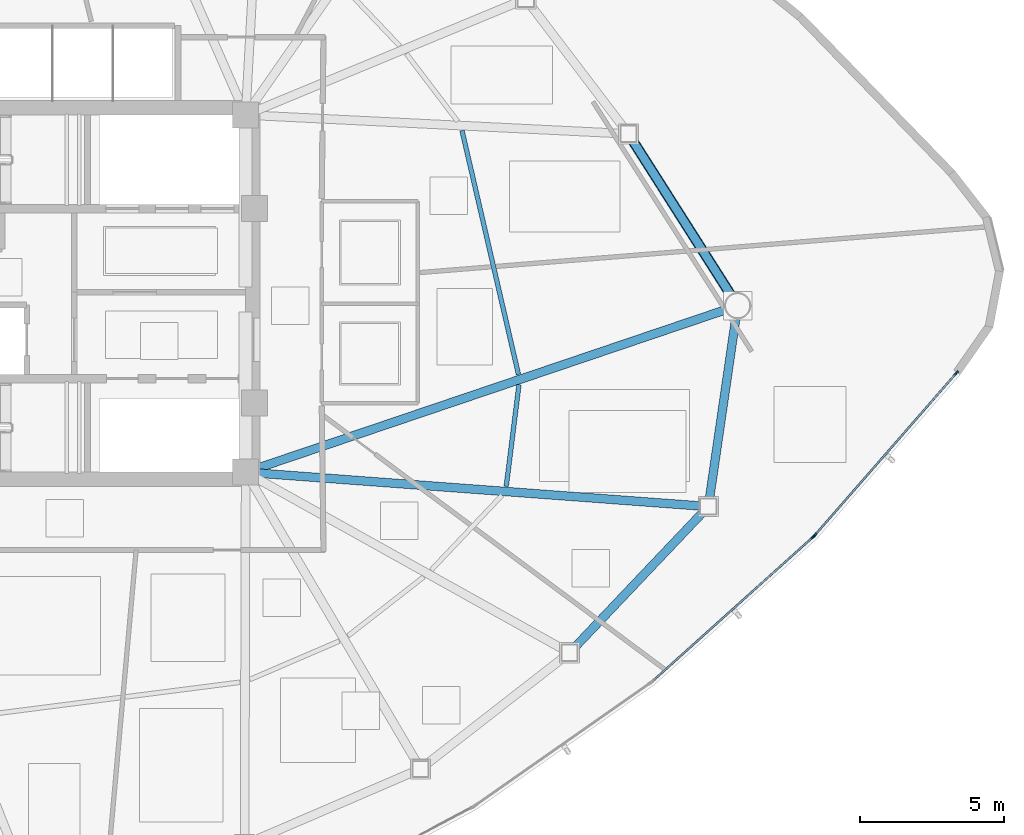
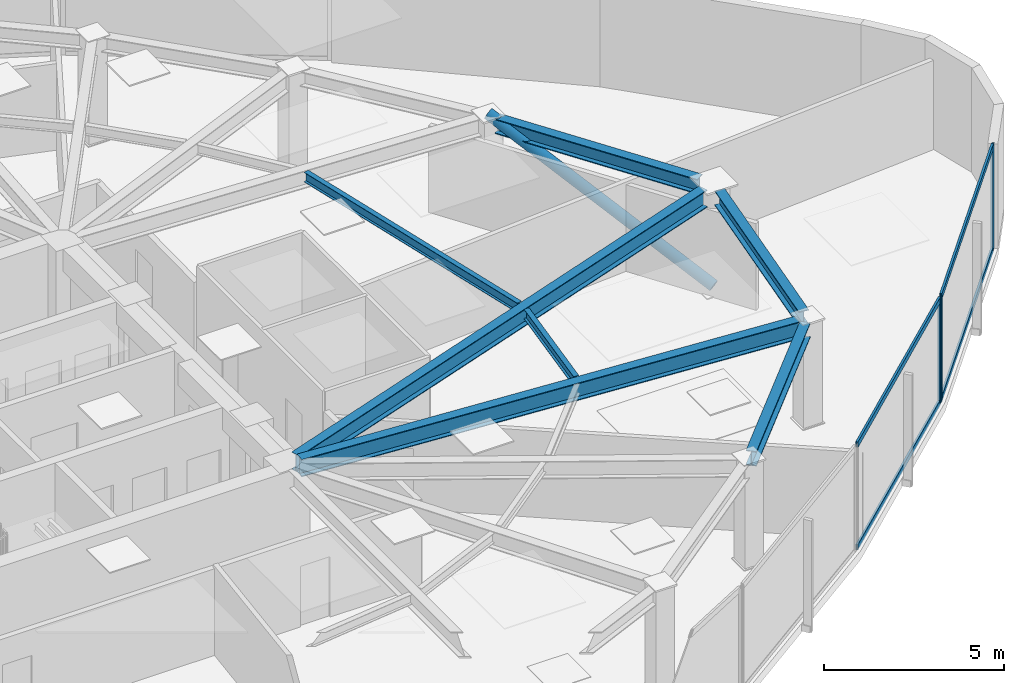
# One storey, part 6 of 17: 8 members, 7 beams, 2 elements without a shape of their own.
"""IFC4 building model written with IfcOpenShell, lengths in metres."""

from ifc_helpers import new_model, si_unit, direction, frame, origin, origin_2d, place, context, subcontext, project, spatial, hollow_rectangle, hollow_circle, i_section, extrude, source, transform, mapped, material, layer, layer_set, material_profile, profile_set, type_object, type_shapes, element, aggregate, save


model = new_model("IFC4")

# Units and contexts
model_context = context("Model", 3, precision=1e-05, world=origin(), true_north=direction((0.0, 1.0)))
body_context = subcontext(model_context, "Body", "Model", "MODEL_VIEW")
ifc_project = project(units=[si_unit("LENGTHUNIT", "METRE"), si_unit("AREAUNIT", "SQUARE_METRE"), si_unit("VOLUMEUNIT", "CUBIC_METRE"), si_unit("PLANEANGLEUNIT", "RADIAN"), si_unit("MASSUNIT", "GRAM", prefix="KILO")], contexts=[model_context])

# Site, building, storey
site_placement = place(None, origin())
site = spatial("IfcSite", under=ifc_project, at=site_placement, CompositionType="ELEMENT")
building_placement = place(site_placement, origin())
building = spatial("IfcBuilding", under=site, at=building_placement, Name="Tavelor Broadcast Tower", CompositionType="ELEMENT")
storey_placement = place(building_placement, frame((0.0, 0.0, 165.64990234375)))
storey = spatial("IfcBuildingStorey", under=building, at=storey_placement, Name="L39", CompositionType="ELEMENT", Elevation=165.64990234375)

# Beams
ifc_material_1 = material(Name="Steel S355", Category="steel")
ifc_material_profile_1 = material_profile(ifc_material_1, i_section(OverallWidth=0.159912109375, OverallDepth=0.330078125, WebThickness=0.007568359375, FlangeThickness=0.011474609375, at=origin_2d()), Name="IPE 330")
ifc_profile_set_1 = profile_set([ifc_material_profile_1], Name="Steel S355")
beam_type_1 = type_object("IfcBeamType", Name="Composite Floor Joist T4 IPE 330", PredefinedType="JOIST", material=ifc_profile_set_1)
beam_1_placement = place(storey_placement, frame((65.64453125, 38.3095703125, 3.385009765625), z_axis=(0.124499310057, 0.992219694319, 0.0), x_axis=(-0.992219694319, 0.124499310057, 0.0)))
element("IfcBeam", 1, at=beam_1_placement, inside=storey, type_object=beam_type_1, Name="L39 Secondary Composite Floor Joist 12", PredefinedType="JOIST", context=body_context, shape_type="SweptSolid", body=[
    extrude(i_section(OverallWidth=0.159912109375, OverallDepth=0.330078125, WebThickness=0.007568359375, FlangeThickness=0.011474609375, at=origin_2d()), origin(), (0.0, 0.0, 1.0), 3.55712890625),
])
beam_2_placement = place(storey_placement, frame((66.069091796875, 42.195068359375, 3.385009765625), z_axis=(-0.225617102792, 0.974216055569, 0.0), x_axis=(-0.974216055569, -0.225617102792, 0.0)))
element("IfcBeam", 2, at=beam_2_placement, inside=storey, type_object=beam_type_1, Name="L39 Secondary Composite Floor Joist 13", PredefinedType="JOIST", context=body_context, shape_type="SweptSolid", body=[
    extrude(i_section(OverallWidth=0.159912109375, OverallDepth=0.330078125, WebThickness=0.007568359375, FlangeThickness=0.011474609375, at=origin_2d()), origin(), (0.0, 0.0, 1.0), 8.683837890625),
])
ifc_material_profile_2 = material_profile(ifc_material_1, i_section(OverallWidth=0.300048828125, OverallDepth=0.5, WebThickness=0.014404296875, FlangeThickness=0.028076171875, at=origin_2d()), Name="HEB 500")
ifc_profile_set_2 = profile_set([ifc_material_profile_2], Name="Steel S355")
beam_type_2 = type_object("IfcBeamType", Name="Perimeter Spandrel Beam T4 HEB 500", PredefinedType="SPANDREL", material=ifc_profile_set_2)
beam_3_placement = place(storey_placement, frame((68.04052734375, 32.74072265625, 3.300048828125), z_axis=(0.688387662899, 0.725342970993, 0.0), x_axis=(-0.725342970993, 0.688387662899, 0.0)))
element("IfcBeam", 3, at=beam_3_placement, inside=storey, type_object=beam_type_2, Name="L39 Framed-Tube Ring Spandrel 11", PredefinedType="SPANDREL", context=body_context, shape_type="SweptSolid", body=[
    extrude(i_section(OverallWidth=0.300048828125, OverallDepth=0.5, WebThickness=0.014404296875, FlangeThickness=0.028076171875, at=origin_2d()), origin(), (0.0, 0.0, 1.0), 6.42138671875),
])
beam_4_placement = place(storey_placement, frame((72.700927734375, 37.892333984375, 3.300048828125), z_axis=(0.144298223799, 0.989534245293, 0.0), x_axis=(-0.989534245293, 0.144298223799, 0.0)))
element("IfcBeam", 4, at=beam_4_placement, inside=storey, type_object=beam_type_2, Name="L39 Framed-Tube Ring Spandrel 12", PredefinedType="SPANDREL", context=body_context, shape_type="SweptSolid", body=[
    extrude(i_section(OverallWidth=0.300048828125, OverallDepth=0.5, WebThickness=0.014404296875, FlangeThickness=0.028076171875, at=origin_2d()), origin(), (0.0, 0.0, 1.0), 6.3193359375),
])
beam_5_placement = place(storey_placement, frame((73.440673828125, 44.94970703125, 3.300048828125), z_axis=(-0.536287336864, 0.844035480486, 0.0), x_axis=(-0.844035480486, -0.536287336864, 0.0)))
element("IfcBeam", 5, at=beam_5_placement, inside=storey, type_object=beam_type_2, Name="L39 Framed-Tube Ring Spandrel 13", PredefinedType="SPANDREL", context=body_context, shape_type="SweptSolid", body=[
    extrude(i_section(OverallWidth=0.300048828125, OverallDepth=0.5, WebThickness=0.014404296875, FlangeThickness=0.028076171875, at=origin_2d()), origin(), (0.0, 0.0, 1.0), 6.340087890625),
])

# Member
ifc_material_profile_3 = material_profile(ifc_material_1, hollow_circle(Radius=0.177734375, WallThickness=0.01611328125, at=origin_2d()), Name="CHS 355.6x16")
ifc_profile_set_3 = profile_set([ifc_material_profile_3], Name="Steel S355")
member_type_1 = type_object("IfcMemberType", Name="Perimeter Tube Brace T4 CHS 355.6x16", PredefinedType="BRACE", material=ifc_profile_set_3)
member_1_placement = place(storey_placement, frame((73.676025390625, 44.57958984375, 0.0), z_axis=(-0.479238755177, 0.754205232397, 0.448892729904), x_axis=(-0.844021198089, -0.536309814544, 0.0)))
element("IfcMember", 6, at=member_1_placement, inside=storey, type_object=member_type_1, Name="L39 Corner Tube Diagonal Brace 3", PredefinedType="BRACE", context=body_context, shape_type="SweptSolid", body=[
    extrude(hollow_circle(Radius=0.177734375, WallThickness=0.01611328125, at=origin_2d()), origin(), (0.0, 0.0, 1.0), 7.908447265625),
])

# Beams
ifc_material_profile_4 = material_profile(ifc_material_1, i_section(OverallWidth=0.300048828125, OverallDepth=0.590087890625, WebThickness=0.012939453125, FlangeThickness=0.02490234375, at=origin_2d()), Name="HEA 600")
ifc_profile_set_4 = profile_set([ifc_material_profile_4], Name="Steel S355")
beam_type_3 = type_object("IfcBeamType", Name="Radial Floor Girder T4 HEA 600", PredefinedType="BEAM", material=ifc_profile_set_4)
beam_6_placement = place(storey_placement, frame((57.03076171875, 38.76806640625, 3.255126953125), z_axis=(0.997253315852, -0.074066348787, 0.0), x_axis=(0.074066348787, 0.997253315852, 0.0)))
element("IfcBeam", 7, at=beam_6_placement, inside=storey, type_object=beam_type_3, Name="L39 Radial Primary Floor Girder 12", PredefinedType="BEAM", context=body_context, shape_type="SweptSolid", body=[
    extrude(i_section(OverallWidth=0.300048828125, OverallDepth=0.590087890625, WebThickness=0.012939453125, FlangeThickness=0.02490234375, at=origin_2d()), origin(), (0.0, 0.0, 1.0), 15.383544921875),
])
beam_7_placement = place(storey_placement, frame((57.00927734375, 38.9384765625, 3.255126953125), z_axis=(0.947214639948, 0.320600102727, 0.0), x_axis=(-0.320600102727, 0.947214639948, 0.0)))
element("IfcBeam", 8, at=beam_7_placement, inside=storey, type_object=beam_type_3, Name="L39 Radial Primary Floor Girder 13", PredefinedType="BEAM", context=body_context, shape_type="SweptSolid", body=[
    extrude(i_section(OverallWidth=0.300048828125, OverallDepth=0.590087890625, WebThickness=0.012939453125, FlangeThickness=0.02490234375, at=origin_2d()), origin(), (0.0, 0.0, 1.0), 17.15673828125),
])

# Curtain wall, member
ifc_material_2 = material(Name="Architectural Anodized Aluminium", Category="aluminium")
ifc_layer = layer(ifc_material_2, 0.18994140625)
ifc_layer_set = layer_set([ifc_layer], Name="Architectural Anodized Aluminium")
curtain_wall_type = type_object("IfcCurtainWallType", Name="Tower Mid-Zone Acoustic Curtain Wall CW03", PredefinedType="NOTDEFINED", material=ifc_layer_set)
curtain_wall_1_placement = place(storey_placement, origin())
curtain_wall_1 = element("IfcCurtainWall", 9, at=curtain_wall_1_placement, inside=storey, type_object=curtain_wall_type, Name="L39 Curtain Wall CW03 Run 415", PredefinedType="NOTDEFINED")
ifc_material_profile_5 = material_profile(ifc_material_2, hollow_rectangle(XDim=0.068115234375, YDim=0.18994140625, WallThickness=0.02197265625, at=origin_2d()), Name="RHS 68x190x22")
ifc_profile_set_5 = profile_set([ifc_material_profile_5], Name="Architectural Anodized Aluminium")
member_type_2 = type_object("IfcMemberType", Name="CW03 Extruded Aluminium Mullion 68x190", PredefinedType="MULLION", material=ifc_profile_set_5)
shared_shape_1 = source(origin(), body_context, "Body", "SweptSolid", [
    extrude(hollow_rectangle(XDim=0.068115234375, YDim=0.18994140625, WallThickness=0.02197265625, at=origin_2d()), origin(), (0.0, 0.0, 1.0), 3.550048828125),
])
type_shapes(member_type_2, [shared_shape_1])
member_2_placement = place(storey_placement, frame((76.28515625, 36.54345703125, 0.0), z_axis=(0.0, 0.0, 1.0), x_axis=(-0.668170713104, 0.744007996026, 0.0)))
member_2 = element("IfcMember", 10, at=member_2_placement, type_object=member_type_2, Name="CW03 mullion 2", PredefinedType="MULLION", context=body_context, shape_type="MappedRepresentation", body=[
    mapped(shared_shape_1, transform((0.0, 0.0, 0.0), scale=1.0)),
])

# Curtain wall, members
curtain_wall_2_placement = place(storey_placement, origin())
curtain_wall_2 = element("IfcCurtainWall", 11, at=curtain_wall_2_placement, inside=storey, type_object=curtain_wall_type, Name="L39 Curtain Wall CW03 Run 416", PredefinedType="NOTDEFINED")
member_3_placement = place(storey_placement, frame((76.353759765625, 36.613037109375, 0.0), z_axis=(0.0, 0.0, 1.0), x_axis=(-0.753286805881, 0.65769216818, 0.0)))
member_3 = element("IfcMember", 12, at=member_3_placement, type_object=member_type_2, Name="CW03 mullion 1", PredefinedType="MULLION", context=body_context, shape_type="MappedRepresentation", body=[
    mapped(shared_shape_1, transform((0.0, 0.0, 0.0), scale=1.0)),
])
member_4_placement = place(storey_placement, frame((81.26904296875, 42.242431640625, 0.0), z_axis=(0.0, 0.0, 1.0), x_axis=(-0.753286805881, 0.65769216818, 0.0)))
member_4 = element("IfcMember", 13, at=member_4_placement, type_object=member_type_2, Name="CW03 mullion 2", PredefinedType="MULLION", context=body_context, shape_type="MappedRepresentation", body=[
    mapped(shared_shape_1, transform((0.0, 0.0, 0.0), scale=1.0)),
])

# Member
ifc_material_profile_6 = material_profile(ifc_material_2, hollow_rectangle(XDim=0.068115234375, YDim=0.18994140625, WallThickness=0.02197265625, at=origin_2d()), Name="RHS 68x190x22")
ifc_profile_set_6 = profile_set([ifc_material_profile_6], Name="Architectural Anodized Aluminium")
member_type_3 = type_object("IfcMemberType", Name="CW03 Extruded Aluminium Transom 68x190", PredefinedType="USERDEFINED", material=ifc_profile_set_6)
shared_shape_2 = source(origin(), body_context, "Body", "SweptSolid", [
    extrude(hollow_rectangle(XDim=0.068115234375, YDim=0.18994140625, WallThickness=0.02197265625, at=origin_2d()), origin(), (0.0, 0.0, 1.0), 7.389404296875),
])
member_5_placement = place(storey_placement, frame((70.76220703125, 31.583251953125, 0.0341796875), z_axis=(0.74400178341, 0.668177630786, 0.0), x_axis=(-0.668177630786, 0.74400178341, 0.0)))
member_5 = element("IfcMember", 14, at=member_5_placement, type_object=member_type_3, Name="CW03 transom 1.1", ObjectType="TRANSOM", PredefinedType="USERDEFINED", context=body_context, shape_type="MappedRepresentation", body=[
    mapped(shared_shape_2, transform((0.0, 0.0, 0.0), scale=1.0)),
])

member_6_placement = place(storey_placement, frame((70.76220703125, 31.583251953125, 3.51611328125), z_axis=(0.74400178341, 0.668177630786, 0.0), x_axis=(-0.668177630786, 0.74400178341, 0.0)))
member_6 = element("IfcMember", 15, at=member_6_placement, type_object=member_type_3, Name="CW03 transom 1.2", ObjectType="TRANSOM", PredefinedType="USERDEFINED", context=body_context, shape_type="MappedRepresentation", body=[
    mapped(shared_shape_2, transform((0.0, 0.0, 0.0), scale=1.0)),
])

aggregate(curtain_wall_1, [member_2, member_5, member_6])

shared_shape_3 = source(origin(), body_context, "Body", "SweptSolid", [
    extrude(hollow_rectangle(XDim=0.068115234375, YDim=0.18994140625, WallThickness=0.02197265625, at=origin_2d()), origin(), (0.0, 0.0, 1.0), 7.405029296875),
])
type_shapes(member_type_3, [shared_shape_2, shared_shape_3])
member_7_placement = place(storey_placement, frame((76.376220703125, 36.638671875, 0.0341796875), z_axis=(0.657701303317, 0.753278829926, 0.0), x_axis=(-0.753278829926, 0.657701303317, 0.0)))
member_7 = element("IfcMember", 16, at=member_7_placement, type_object=member_type_3, Name="CW03 transom 1.1", ObjectType="TRANSOM", PredefinedType="USERDEFINED", context=body_context, shape_type="MappedRepresentation", body=[
    mapped(shared_shape_3, transform((0.0, 0.0, 0.0), scale=1.0)),
])

member_8_placement = place(storey_placement, frame((76.376220703125, 36.638671875, 3.51611328125), z_axis=(0.657701303317, 0.753278829926, 0.0), x_axis=(-0.753278829926, 0.657701303317, 0.0)))
member_8 = element("IfcMember", 17, at=member_8_placement, type_object=member_type_3, Name="CW03 transom 1.2", ObjectType="TRANSOM", PredefinedType="USERDEFINED", context=body_context, shape_type="MappedRepresentation", body=[
    mapped(shared_shape_3, transform((0.0, 0.0, 0.0), scale=1.0)),
])

aggregate(curtain_wall_2, [member_3, member_4, member_7, member_8])

save(model, "model.ifc")
